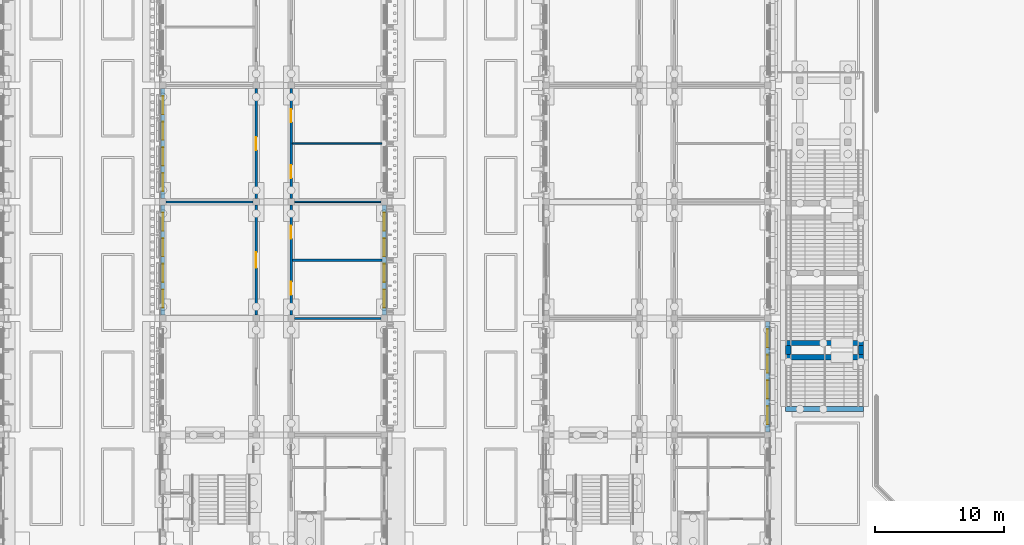
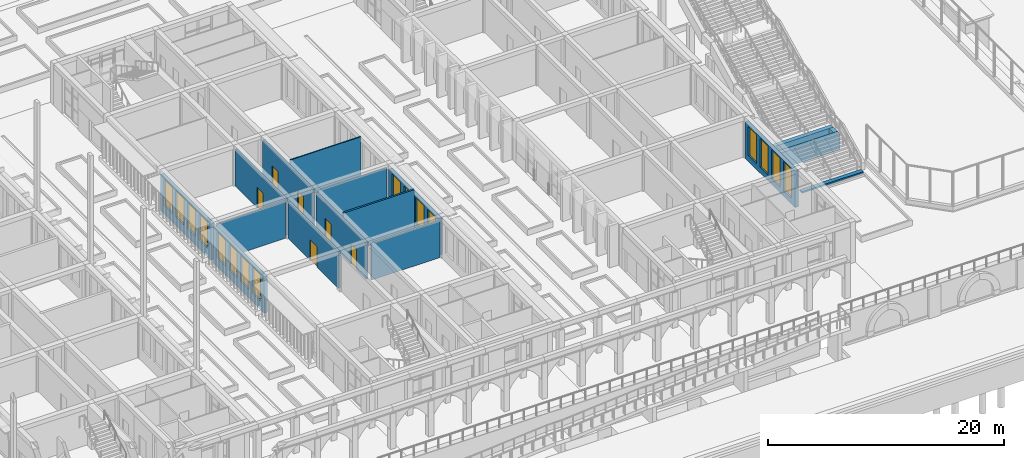
# One storey, part 70 of 161: 18 walls, 16 windows, 6 doors, 22 openings.
"""IFC4 building model written with IfcOpenShell, lengths in metres."""

import ifcopenshell
import ifcopenshell.guid

model = None  # the IFC model being written
_history = None  # IfcOwnerHistory: only IFC2X3 demands one
_inside = {}  # id of a spatial element -> (the spatial element, [elements in it])
_under = {}  # id of a project, library or spatial element -> (it, [spatial elements below it])
_declared = {}  # id of a project -> (the project, [libraries it declares])
_typed = {}  # id of a type object -> (the type object, [elements of that type])
_made_of = {}  # id of a material, layer set ... -> (it, [elements and type objects made of it])


def new_model(schema):
    """Start an empty IFC model of exactly this schema.

    Asked for "IFC4X3", IfcOpenShell would pick the latest addendum, in which some entities
    have other attributes; the version numbers below select the first issue.
    IFC2X3 requires an IfcOwnerHistory on every rooted entity: one is made here for all.
    """
    global model, _history
    if schema == "IFC4X3":
        model = ifcopenshell.file(schema_version=(4, 3, 0, 0))
    else:
        model = ifcopenshell.file(schema=schema)
    _inside.clear()
    _under.clear()
    _declared.clear()
    _typed.clear()
    _made_of.clear()
    _history = None
    if model.schema == "IFC2X3":
        org = make("IfcOrganization", Name="unknown")
        user = make(
            "IfcPersonAndOrganization",
            ThePerson=make("IfcPerson", FamilyName="unknown"),
            TheOrganization=org,
        )
        app = make(
            "IfcApplication",
            ApplicationDeveloper=org,
            Version="unknown",
            ApplicationFullName="unknown",
            ApplicationIdentifier="unknown",
        )
        _history = make(
            "IfcOwnerHistory",
            OwningUser=user,
            OwningApplication=app,
            ChangeAction="ADDED",
            CreationDate=0,
        )
    return model


def make(cls, **values):
    """One entity of the class cls with the attributes given. An attribute that is None is left unset."""
    return model.create_entity(
        cls, **{name: value for name, value in values.items() if value is not None}
    )


def rooted(cls, **values):
    """An entity with a GlobalId (a new one), such as an element, a storey or a relation."""
    return make(cls, GlobalId=ifcopenshell.guid.new(), OwnerHistory=_history, **values)


def si_unit(unit_type, name, prefix=None):
    """IfcSIUnit, for example si_unit("LENGTHUNIT", "METRE", prefix="MILLI")."""
    return make("IfcSIUnit", UnitType=unit_type, Prefix=prefix, Name=name)


def assignment(units):
    """IfcUnitAssignment: the units of a project."""
    return None if units is None else make("IfcUnitAssignment", Units=units)


def point(xyz):
    """IfcCartesianPoint."""
    return None if xyz is None else make("IfcCartesianPoint", Coordinates=xyz)


def direction(xyz):
    """IfcDirection."""
    return None if xyz is None else make("IfcDirection", DirectionRatios=xyz)


def frame(location, z_axis=None, x_axis=None):
    """IfcAxis2Placement3D, a coordinate frame: its origin and axes. An axis left out is left unset."""
    return make(
        "IfcAxis2Placement3D",
        Location=point(location),
        Axis=direction(z_axis),
        RefDirection=direction(x_axis),
    )


def frame_2d(location, x_axis=None):
    """IfcAxis2Placement2D, a coordinate frame in the plane: its origin and x axis."""
    return make(
        "IfcAxis2Placement2D", Location=point(location), RefDirection=direction(x_axis)
    )


def origin():
    """The frame at (0, 0, 0) with its axes left unset."""
    return frame((0.0, 0.0, 0.0))


def place(relative_to, where):
    """IfcLocalPlacement: puts the frame where relative to a parent placement (None: the world)."""
    return make(
        "IfcLocalPlacement", PlacementRelTo=relative_to, RelativePlacement=where
    )


def context(
    kind, dimensions, precision=None, world=None, true_north=None, identifier=None
):
    """IfcGeometricRepresentationContext, for example the 3D "Model" context."""
    return make(
        "IfcGeometricRepresentationContext",
        ContextIdentifier=identifier,
        ContextType=kind,
        CoordinateSpaceDimension=dimensions,
        Precision=precision,
        WorldCoordinateSystem=world,
        TrueNorth=true_north,
    )


def subcontext(parent, identifier, kind, view, scale=None):
    """IfcGeometricRepresentationSubContext, for example "Body" below "Model"."""
    return make(
        "IfcGeometricRepresentationSubContext",
        ContextIdentifier=identifier,
        ContextType=kind,
        ParentContext=parent,
        TargetScale=scale,
        TargetView=view,
    )


def project(units=None, contexts=None):
    """IfcProject with its units and contexts."""
    return rooted(
        "IfcProject",
        Name="project",
        RepresentationContexts=contexts,
        UnitsInContext=assignment(units),
    )


def spatial(cls, under=None, at=None, **own):
    """A site, building, storey or space (cls), placed at a placement, below another one or the project."""
    s = rooted(cls, ObjectPlacement=at, **own)
    if under is not None:
        _under.setdefault(under.id(), (under, []))[1].append(s)
    return s


def profile(cls, at=None, kind="AREA", **sizes):
    """A parametric profile (cls). Its sizes go by their IFC names, for example OverallWidth=200.0."""
    return make(cls, ProfileType=kind, Position=at, **sizes)


def rectangle(**sizes):
    """IfcRectangleProfileDef."""
    return profile("IfcRectangleProfileDef", **sizes)


def extrude(swept, where, along, depth):
    """IfcExtrudedAreaSolid: the profile swept, set in the frame where, extruded along a direction by depth."""
    return make(
        "IfcExtrudedAreaSolid",
        SweptArea=swept,
        Position=where,
        ExtrudedDirection=direction(along),
        Depth=depth,
    )


def shape(context_of_items, identifier, shape_type, items):
    """IfcShapeRepresentation: the items that make up one representation, for example the "Body"."""
    return make(
        "IfcShapeRepresentation",
        ContextOfItems=context_of_items,
        RepresentationIdentifier=identifier,
        RepresentationType=shape_type,
        Items=items,
    )


def material(Name=None, Category=None):
    """IfcMaterial."""
    return make("IfcMaterial", Name=Name, Category=Category)


def layer(
    of_material, thickness, ventilated=None, Name=None, Category=None, Priority=None
):
    """IfcMaterialLayer: one layer of a wall or slab, of a material (None: an air gap)."""
    return make(
        "IfcMaterialLayer",
        Material=of_material,
        LayerThickness=thickness,
        IsVentilated=ventilated,
        Name=Name,
        Category=Category,
        Priority=Priority,
    )


def layer_set(layers, Name=None):
    """IfcMaterialLayerSet."""
    return make("IfcMaterialLayerSet", MaterialLayers=layers, LayerSetName=Name)


def made_of(thing, what):
    """Note that an element or type object is made of a material, layer set ...; save() writes the relation."""
    if what is not None:
        _made_of.setdefault(what.id(), (what, []))[1].append(thing)
    return thing


def type_object(cls, material=None, **own):
    """A type object (cls), such as IfcWallType, which elements share."""
    return made_of(rooted(cls, **own), material)


def element(
    cls,
    number,
    at=None,
    inside=None,
    cuts=None,
    type_object=None,
    material=None,
    context=None,
    identifier="Body",
    shape_type=None,
    held_by="IfcProductDefinitionShape",
    body=None,
    shapes=None,
    **own,
):
    """One element of the class cls, such as IfcWall. Its Tag is "e" and its number.

    at: its placement. inside: the storey or other place that contains it. cuts: it is an
    opening in that element (IfcRelVoidsElement). A single representation is given by context,
    identifier, shape_type and body (its items); several are given by shapes. held_by: the class
    of the entity that holds the representations. save() writes the other relations.
    """
    e = rooted(cls, Tag="e%d" % number, ObjectPlacement=at, **own)
    if body is not None:
        shapes = [shape(context, identifier, shape_type, body)]
    if shapes is not None:
        e.Representation = make(held_by, Representations=shapes)
    if inside is not None:
        _inside.setdefault(inside.id(), (inside, []))[1].append(e)
    if cuts is not None:
        rooted(
            "IfcRelVoidsElement", RelatingBuildingElement=cuts, RelatedOpeningElement=e
        )
    if type_object is not None:
        _typed.setdefault(type_object.id(), (type_object, []))[1].append(e)
    return made_of(e, material)


def fill(opening, filler):
    """IfcRelFillsElement: the door or window that sits in an opening."""
    return rooted(
        "IfcRelFillsElement",
        RelatingOpeningElement=opening,
        RelatedBuildingElement=filler,
    )


def aggregate(whole, parts):
    """IfcRelAggregates: a whole, such as a stair, and the parts it consists of."""
    return rooted("IfcRelAggregates", RelatingObject=whole, RelatedObjects=parts)


def save(model, path):
    """Write the relations noted so far, then the file.

    IfcRelAggregates (storeys below a building ...), IfcRelContainedInSpatialStructure (elements
    in a storey), IfcRelDefinesByType, IfcRelAssociatesMaterial and IfcRelDeclares: one each for
    every whole, place, type object, material and project.
    """
    for whole, parts in _under.values():
        aggregate(whole, parts)
    for where, things in _inside.values():
        rooted(
            "IfcRelContainedInSpatialStructure",
            RelatedElements=things,
            RelatingStructure=where,
        )
    for kind, things in _typed.values():
        rooted("IfcRelDefinesByType", RelatedObjects=things, RelatingType=kind)
    for what, things in _made_of.values():
        rooted("IfcRelAssociatesMaterial", RelatedObjects=things, RelatingMaterial=what)
    for by, libraries in _declared.values():
        rooted("IfcRelDeclares", RelatingContext=by, RelatedDefinitions=libraries)
    model.write(path)


model = new_model("IFC4")

# Units and contexts
model_context = context("Model", 3, precision=1e-05, world=origin(), true_north=direction((0.0, 1.0)))
body_context = subcontext(model_context, "Body", "Model", "MODEL_VIEW")
ifc_project = project(units=[si_unit("LENGTHUNIT", "METRE"), si_unit("AREAUNIT", "SQUARE_METRE"), si_unit("VOLUMEUNIT", "CUBIC_METRE"), si_unit("PLANEANGLEUNIT", "RADIAN"), si_unit("MASSUNIT", "GRAM", prefix="KILO")], contexts=[model_context])

# Site, building, storey
site_placement = place(None, origin())
site = spatial("IfcSite", under=ifc_project, at=site_placement, CompositionType="ELEMENT")
building_placement = place(site_placement, origin())
building = spatial("IfcBuilding", under=site, at=building_placement, Name="Elbe Cascade School", CompositionType="ELEMENT")
storey_placement = place(building_placement, origin())
storey = spatial("IfcBuildingStorey", under=building, at=storey_placement, Name="L00", CompositionType="ELEMENT", Elevation=0.0)

# Walls
ifc_material_1 = material(Name="Masonry - lime-sand block, plastered", Category="masonry")
ifc_layer_1 = layer(ifc_material_1, 0.175048828125)
ifc_layer_set_1 = layer_set([ifc_layer_1], Name="Masonry - lime-sand block, plastered")
wall_type_1 = type_object("IfcWallType", Name="Bar classroom partition wall lime-sand block 175", PredefinedType="PARTITIONING", material=ifc_layer_set_1)
for number, where, z_axis, x_axis, name in (
    (1, (128.449951171875, 33.0, 0.0), (0.0, 0.0, 1.0), (1.0, 0.0, 0.0), "Bar classroom partition wall lime-sand block 175"),
    (2, (138.35009765625, 24.0, 0.0), (0.0, 0.0, 1.0), (1.0, 0.0, 0.0), "Bar classroom partition wall lime-sand block 175"),
):
    element("IfcWall", number, at=place(storey_placement, frame(where, z_axis=z_axis, x_axis=x_axis)), inside=storey, type_object=wall_type_1, Name=name, PredefinedType="PARTITIONING", context=body_context, shape_type="SweptSolid", body=[
        extrude(rectangle(XDim=6.699951171875, YDim=0.175048828125, at=frame_2d((3.35009765625, 0.0))), origin(), (0.0, 0.0, 1.0), 3.800048828125),
    ])
wall_1_placement = place(storey_placement, frame((138.199951171875, 28.5, 0.0), z_axis=(0.0, 0.0, 1.0), x_axis=(1.0, 0.0, 0.0)))
element("IfcWall", 3, at=wall_1_placement, inside=storey, type_object=wall_type_1, Name="Bar classroom partition wall lime-sand block 175", PredefinedType="PARTITIONING", context=body_context, shape_type="SweptSolid", body=[
    extrude(rectangle(XDim=6.920166015625, YDim=0.175048828125, at=frame_2d((3.4599609375, 0.0))), origin(), (0.0, 0.0, 1.0), 4.25),
])

# Wall, opening, door
ifc_material_2 = material(Name="Masonry - lime-sand block, plastered", Category="masonry")
ifc_layer_2 = layer(ifc_material_2, 0.199951171875)
ifc_layer_set_2 = layer_set([ifc_layer_2], Name="Masonry - lime-sand block, plastered")
wall_type_2 = type_object("IfcWallType", Name="Bar corridor wall lime-sand block 200 EI 30", PredefinedType="PARTITIONING", material=ifc_layer_set_2)
wall_2_placement = place(storey_placement, frame((135.39990234375, 24.25, 0.0), z_axis=(0.0, 0.0, 1.0), x_axis=(0.0, 1.0, 0.0)))
wall_2 = element("IfcWall", 4, at=wall_2_placement, inside=storey, type_object=wall_type_2, Name="Bar corridor wall lime-sand block 200 EI 30", PredefinedType="PARTITIONING", context=body_context, shape_type="SweptSolid", body=[
    extrude(rectangle(XDim=8.5, YDim=0.199951171875, at=frame_2d((4.25, 0.0))), origin(), (0.0, 0.0, 1.0), 3.800048828125),
])
opening_1_placement = place(wall_2_placement, frame((3.64990234375, 0.0, 0.0)))
opening_1 = element("IfcOpeningElement", 5, at=opening_1_placement, cuts=wall_2, Name="Opening D0.080", PredefinedType="OPENING", context=body_context, shape_type="SweptSolid", body=[
    extrude(rectangle(XDim=1.199951171875, YDim=2.10009765625, at=frame_2d((0.60009765625, 1.050048828125))), frame((0.0, 0.10986328125, 0.0), z_axis=(0.0, -1.0, 0.0), x_axis=(1.0, 0.0, 0.0)), (0.0, 0.0, 1.0), 0.219970703125),
])
ifc_material_3 = material(Name="Timber door leaf, fire-resisting, steel frame", Category="steel")
door_type_1 = type_object("IfcDoorType", Name="Bar door FD30 1200x2100", OperationType="NOTDEFINED", PredefinedType="DOOR", material=ifc_material_3)
door_1_placement = place(opening_1_placement, origin())
door_1 = element("IfcDoor", 6, at=door_1_placement, inside=storey, type_object=door_type_1, Name="Door C0.19b", OperationType="SINGLE_SWING_LEFT", OverallHeight=2.10009765625, OverallWidth=1.199951171875, PredefinedType="DOOR", context=body_context, shape_type="SweptSolid", body=[
    extrude(rectangle(XDim=1.199951171875, YDim=2.10009765625, at=frame_2d((0.60009765625, 1.050048828125))), frame((0.0, 0.02490234375, 0.0), z_axis=(0.0, -1.0, 0.0), x_axis=(1.0, 0.0, 0.0)), (0.0, 0.0, 1.0), 0.050048828125),
])
fill(opening_1, door_1)

wall_3_placement = place(storey_placement, frame((135.39990234375, 33.25, 0.0), z_axis=(0.0, 0.0, 1.0), x_axis=(0.0, 1.0, 0.0)))
wall_3 = element("IfcWall", 7, at=wall_3_placement, inside=storey, type_object=wall_type_2, Name="Bar corridor wall lime-sand block 200 EI 30", PredefinedType="PARTITIONING", context=body_context, shape_type="SweptSolid", body=[
    extrude(rectangle(XDim=8.5, YDim=0.199951171875, at=frame_2d((4.25, 0.0))), origin(), (0.0, 0.0, 1.0), 3.800048828125),
])
opening_2_placement = place(wall_3_placement, frame((3.75, 0.0, 0.0)))
opening_2 = element("IfcOpeningElement", 8, at=opening_2_placement, cuts=wall_3, Name="Opening D0.083", PredefinedType="OPENING", context=body_context, shape_type="SweptSolid", body=[
    extrude(rectangle(XDim=1.0, YDim=2.10009765625, at=frame_2d((0.5, 1.050048828125))), frame((0.0, 0.10986328125, 0.0), z_axis=(0.0, -1.0, 0.0), x_axis=(1.0, 0.0, 0.0)), (0.0, 0.0, 1.0), 0.219970703125),
])
ifc_material_4 = material(Name="Timber door leaf, fire-resisting, steel frame", Category="steel")
door_type_2 = type_object("IfcDoorType", Name="Bar door FD30 1000x2100", OperationType="NOTDEFINED", PredefinedType="DOOR", material=ifc_material_4)
door_2_placement = place(opening_2_placement, origin())
door_2 = element("IfcDoor", 9, at=door_2_placement, inside=storey, type_object=door_type_2, Name="Door C0.20", OperationType="SINGLE_SWING_LEFT", OverallHeight=2.10009765625, OverallWidth=1.0, PredefinedType="DOOR", context=body_context, shape_type="SweptSolid", body=[
    extrude(rectangle(XDim=1.0, YDim=2.10009765625, at=frame_2d((0.5, 1.050048828125))), frame((0.0, 0.02490234375, 0.0), z_axis=(0.0, -1.0, 0.0), x_axis=(1.0, 0.0, 0.0)), (0.0, 0.0, 1.0), 0.050048828125),
])
fill(opening_2, door_2)

# Wall, openings, doors
wall_4_placement = place(storey_placement, frame((138.10009765625, 32.75, 0.0), z_axis=(0.0, 0.0, 1.0), x_axis=(0.0, -1.0, 0.0)))
wall_4 = element("IfcWall", 10, at=wall_4_placement, inside=storey, type_object=wall_type_2, Name="Bar corridor wall lime-sand block 200 EI 30", PredefinedType="PARTITIONING", context=body_context, shape_type="SweptSolid", body=[
    extrude(rectangle(XDim=8.5, YDim=0.199951171875, at=frame_2d((4.25, 0.0))), origin(), (0.0, 0.0, 1.0), 3.800048828125),
])
opening_3_placement = place(wall_4_placement, frame((5.918701171875, 0.0, 0.0)))
opening_3 = element("IfcOpeningElement", 11, at=opening_3_placement, cuts=wall_4, Name="Opening D0.079", PredefinedType="OPENING", context=body_context, shape_type="SweptSolid", body=[
    extrude(rectangle(XDim=1.0, YDim=2.10009765625, at=frame_2d((0.5, 1.050048828125))), frame((0.0, 0.10986328125, 0.0), z_axis=(0.0, -1.0, 0.0), x_axis=(1.0, 0.0, 0.0)), (0.0, 0.0, 1.0), 0.219970703125),
])
opening_4_placement = place(wall_4_placement, frame((1.581298828125, 0.0, 0.0)))
opening_4 = element("IfcOpeningElement", 12, at=opening_4_placement, cuts=wall_4, Name="Opening D0.081", PredefinedType="OPENING", context=body_context, shape_type="SweptSolid", body=[
    extrude(rectangle(XDim=1.0, YDim=2.10009765625, at=frame_2d((0.5, 1.050048828125))), frame((0.0, 0.10986328125, 0.0), z_axis=(0.0, -1.0, 0.0), x_axis=(1.0, 0.0, 0.0)), (0.0, 0.0, 1.0), 0.219970703125),
])
door_3_placement = place(opening_3_placement, origin())
door_3 = element("IfcDoor", 13, at=door_3_placement, inside=storey, type_object=door_type_2, Name="Door C0.24", OperationType="SINGLE_SWING_LEFT", OverallHeight=2.10009765625, OverallWidth=1.0, PredefinedType="DOOR", context=body_context, shape_type="SweptSolid", body=[
    extrude(rectangle(XDim=1.0, YDim=2.10009765625, at=frame_2d((0.5, 1.050048828125))), frame((0.0, 0.02490234375, 0.0), z_axis=(0.0, -1.0, 0.0), x_axis=(1.0, 0.0, 0.0)), (0.0, 0.0, 1.0), 0.050048828125),
])
fill(opening_3, door_3)
door_4_placement = place(opening_4_placement, origin())
door_4 = element("IfcDoor", 14, at=door_4_placement, inside=storey, type_object=door_type_2, Name="Door C0.25", OperationType="SINGLE_SWING_RIGHT", OverallHeight=2.10009765625, OverallWidth=1.0, PredefinedType="DOOR", context=body_context, shape_type="SweptSolid", body=[
    extrude(rectangle(XDim=1.0, YDim=2.10009765625, at=frame_2d((0.5, 1.050048828125))), frame((0.0, 0.02490234375, 0.0), z_axis=(0.0, -1.0, 0.0), x_axis=(1.0, 0.0, 0.0)), (0.0, 0.0, 1.0), 0.050048828125),
])
fill(opening_4, door_4)

wall_5_placement = place(storey_placement, frame((138.10009765625, 41.75, 0.0), z_axis=(0.0, 0.0, 1.0), x_axis=(0.0, -1.0, 0.0)))
wall_5 = element("IfcWall", 15, at=wall_5_placement, inside=storey, type_object=wall_type_2, Name="Bar corridor wall lime-sand block 200 EI 30", PredefinedType="PARTITIONING", context=body_context, shape_type="SweptSolid", body=[
    extrude(rectangle(XDim=8.5, YDim=0.199951171875, at=frame_2d((4.25, 0.0))), origin(), (0.0, 0.0, 1.0), 3.800048828125),
])
opening_5_placement = place(wall_5_placement, frame((5.90380859375, 0.0, 0.0)))
opening_5 = element("IfcOpeningElement", 16, at=opening_5_placement, cuts=wall_5, Name="Opening D0.082", PredefinedType="OPENING", context=body_context, shape_type="SweptSolid", body=[
    extrude(rectangle(XDim=1.0, YDim=2.10009765625, at=frame_2d((0.5, 1.050048828125))), frame((0.0, 0.10986328125, 0.0), z_axis=(0.0, -1.0, 0.0), x_axis=(1.0, 0.0, 0.0)), (0.0, 0.0, 1.0), 0.219970703125),
])
opening_6_placement = place(wall_5_placement, frame((1.59619140625, 0.0, 0.0)))
opening_6 = element("IfcOpeningElement", 17, at=opening_6_placement, cuts=wall_5, Name="Opening D0.084", PredefinedType="OPENING", context=body_context, shape_type="SweptSolid", body=[
    extrude(rectangle(XDim=1.0, YDim=2.10009765625, at=frame_2d((0.5, 1.050048828125))), frame((0.0, 0.10986328125, 0.0), z_axis=(0.0, -1.0, 0.0), x_axis=(1.0, 0.0, 0.0)), (0.0, 0.0, 1.0), 0.219970703125),
])
door_5_placement = place(opening_5_placement, origin())
door_5 = element("IfcDoor", 18, at=door_5_placement, inside=storey, type_object=door_type_2, Name="Door C0.26", OperationType="SINGLE_SWING_LEFT", OverallHeight=2.10009765625, OverallWidth=1.0, PredefinedType="DOOR", context=body_context, shape_type="SweptSolid", body=[
    extrude(rectangle(XDim=1.0, YDim=2.10009765625, at=frame_2d((0.5, 1.050048828125))), frame((0.0, 0.02490234375, 0.0), z_axis=(0.0, -1.0, 0.0), x_axis=(1.0, 0.0, 0.0)), (0.0, 0.0, 1.0), 0.050048828125),
])
fill(opening_5, door_5)
door_6_placement = place(opening_6_placement, origin())
door_6 = element("IfcDoor", 19, at=door_6_placement, inside=storey, type_object=door_type_2, Name="Door C0.27", OperationType="SINGLE_SWING_RIGHT", OverallHeight=2.10009765625, OverallWidth=1.0, PredefinedType="DOOR", context=body_context, shape_type="SweptSolid", body=[
    extrude(rectangle(XDim=1.0, YDim=2.10009765625, at=frame_2d((0.5, 1.050048828125))), frame((0.0, 0.02490234375, 0.0), z_axis=(0.0, -1.0, 0.0), x_axis=(1.0, 0.0, 0.0)), (0.0, 0.0, 1.0), 0.050048828125),
])
fill(opening_6, door_6)

# Walls
ifc_material_5 = material(Name="Masonry - lime-sand block, plastered", Category="masonry")
ifc_layer_3 = layer(ifc_material_5, 0.114990234375)
ifc_layer_set_3 = layer_set([ifc_layer_3], Name="Masonry - lime-sand block, plastered")
wall_type_3 = type_object("IfcWallType", Name="Bar light partition wall lime-sand block 115", PredefinedType="PARTITIONING", material=ifc_layer_set_3)
wall_6_placement = place(storey_placement, frame((138.35009765625, 33.0, 0.0), z_axis=(0.0, 0.0, 1.0), x_axis=(1.0, 0.0, 0.0)))
element("IfcWall", 20, at=wall_6_placement, inside=storey, type_object=wall_type_3, Name="Bar light partition wall lime-sand block 115", PredefinedType="PARTITIONING", context=body_context, shape_type="SweptSolid", body=[
    extrude(rectangle(XDim=6.699951171875, YDim=0.114990234375, at=frame_2d((3.35009765625, 0.0))), origin(), (0.0, 0.0, 1.0), 3.800048828125),
])
wall_7_placement = place(storey_placement, frame((138.199951171875, 37.5, 0.0), z_axis=(0.0, 0.0, 1.0), x_axis=(1.0, 0.0, 0.0)))
element("IfcWall", 21, at=wall_7_placement, inside=storey, type_object=wall_type_3, Name="Bar light partition wall lime-sand block 115", PredefinedType="PARTITIONING", context=body_context, shape_type="SweptSolid", body=[
    extrude(rectangle(XDim=6.920166015625, YDim=0.114990234375, at=frame_2d((3.4599609375, 0.0))), origin(), (0.0, 0.0, 1.0), 4.25),
])

# Wall, openings, windows
ifc_material_6 = material(Name="Brick masonry - red clinker, cavity wall with render backing", Category="masonry")
ifc_layer_4 = layer(ifc_material_6, 0.360107421875)
ifc_layer_set_4 = layer_set([ifc_layer_4], Name="Brick masonry - red clinker, cavity wall with render backing")
wall_type_4 = type_object("IfcWallType", Name="Bars envelope External wall - clinker brick cavity, 360 ground floor", PredefinedType="STANDARD", material=ifc_layer_set_4)
wall_8_placement = place(storey_placement, frame((128.199951171875, 24.25, 0.0), z_axis=(0.0, 0.0, 1.0), x_axis=(0.0, 1.0, 0.0)))
wall_8 = element("IfcWall", 22, at=wall_8_placement, inside=storey, type_object=wall_type_4, Name="External wall W29 C.L00.w3", PredefinedType="STANDARD", context=body_context, shape_type="SweptSolid", body=[
    extrude(rectangle(XDim=8.5, YDim=0.360107421875, at=frame_2d((4.25, 0.0))), origin(), (0.0, 0.0, 1.0), 3.75),
])
opening_7_placement = place(wall_8_placement, frame((0.580078125, 0.0, 0.89990234375)))
opening_7 = element("IfcOpeningElement", 23, at=opening_7_placement, cuts=wall_8, Name="Opening W0.063", PredefinedType="OPENING", context=body_context, shape_type="SweptSolid", body=[
    extrude(rectangle(XDim=1.39990234375, YDim=2.699951171875, at=frame_2d((0.699951171875, 1.35009765625))), frame((0.0, 0.18994140625, 0.0), z_axis=(0.0, -1.0, 0.0), x_axis=(1.0, 0.0, 0.0)), (0.0, 0.0, 1.0), 0.380126953125),
])
opening_8_placement = place(wall_8_placement, frame((2.56005859375, 0.0, 0.89990234375)))
opening_8 = element("IfcOpeningElement", 24, at=opening_8_placement, cuts=wall_8, Name="Opening W0.065", PredefinedType="OPENING", context=body_context, shape_type="SweptSolid", body=[
    extrude(rectangle(XDim=1.39990234375, YDim=2.699951171875, at=frame_2d((0.699951171875, 1.35009765625))), frame((0.0, 0.18994140625, 0.0), z_axis=(0.0, -1.0, 0.0), x_axis=(1.0, 0.0, 0.0)), (0.0, 0.0, 1.0), 0.380126953125),
])
opening_9_placement = place(wall_8_placement, frame((4.5400390625, 0.0, 0.89990234375)))
opening_9 = element("IfcOpeningElement", 25, at=opening_9_placement, cuts=wall_8, Name="Opening W0.067", PredefinedType="OPENING", context=body_context, shape_type="SweptSolid", body=[
    extrude(rectangle(XDim=1.39990234375, YDim=2.699951171875, at=frame_2d((0.699951171875, 1.35009765625))), frame((0.0, 0.18994140625, 0.0), z_axis=(0.0, -1.0, 0.0), x_axis=(1.0, 0.0, 0.0)), (0.0, 0.0, 1.0), 0.380126953125),
])
opening_10_placement = place(wall_8_placement, frame((6.52001953125, 0.0, 0.89990234375)))
opening_10 = element("IfcOpeningElement", 26, at=opening_10_placement, cuts=wall_8, Name="Opening W0.069", PredefinedType="OPENING", context=body_context, shape_type="SweptSolid", body=[
    extrude(rectangle(XDim=1.39990234375, YDim=2.699951171875, at=frame_2d((0.699951171875, 1.35009765625))), frame((0.0, 0.18994140625, 0.0), z_axis=(0.0, -1.0, 0.0), x_axis=(1.0, 0.0, 0.0)), (0.0, 0.0, 1.0), 0.380126953125),
])
ifc_material_7 = material(Name="Aluminium frame with double glazing, bronze anodised", Category="aluminium")
window_type_1 = type_object("IfcWindowType", Name="Bars envelope Window 1400 x 2700, laboratory and office, bench height sill, aluminium double glazed", PartitioningType="DOUBLE_PANEL_VERTICAL", PredefinedType="WINDOW", material=ifc_material_7)
window_1_placement = place(opening_7_placement, origin())
window_1 = element("IfcWindow", 27, at=window_1_placement, inside=storey, type_object=window_type_1, Name="Window WN14 C.L00.w3.1", OverallHeight=2.699951171875, OverallWidth=1.39990234375, PartitioningType="DOUBLE_PANEL_VERTICAL", PredefinedType="WINDOW", context=body_context, shape_type="SweptSolid", body=[
    extrude(rectangle(XDim=1.39990234375, YDim=2.699951171875, at=frame_2d((0.699951171875, 1.35009765625))), frame((0.0, 0.030029296875, 0.0), z_axis=(0.0, -1.0, 0.0), x_axis=(1.0, 0.0, 0.0)), (0.0, 0.0, 1.0), 0.06005859375),
])
fill(opening_7, window_1)
window_2_placement = place(opening_8_placement, origin())
window_2 = element("IfcWindow", 28, at=window_2_placement, inside=storey, type_object=window_type_1, Name="Window WN14 C.L00.w3.2", OverallHeight=2.699951171875, OverallWidth=1.39990234375, PartitioningType="DOUBLE_PANEL_VERTICAL", PredefinedType="WINDOW", context=body_context, shape_type="SweptSolid", body=[
    extrude(rectangle(XDim=1.39990234375, YDim=2.699951171875, at=frame_2d((0.699951171875, 1.35009765625))), frame((0.0, 0.030029296875, 0.0), z_axis=(0.0, -1.0, 0.0), x_axis=(1.0, 0.0, 0.0)), (0.0, 0.0, 1.0), 0.06005859375),
])
fill(opening_8, window_2)
window_3_placement = place(opening_9_placement, origin())
window_3 = element("IfcWindow", 29, at=window_3_placement, inside=storey, type_object=window_type_1, Name="Window WN14 C.L00.w3.3", OverallHeight=2.699951171875, OverallWidth=1.39990234375, PartitioningType="DOUBLE_PANEL_VERTICAL", PredefinedType="WINDOW", context=body_context, shape_type="SweptSolid", body=[
    extrude(rectangle(XDim=1.39990234375, YDim=2.699951171875, at=frame_2d((0.699951171875, 1.35009765625))), frame((0.0, 0.030029296875, 0.0), z_axis=(0.0, -1.0, 0.0), x_axis=(1.0, 0.0, 0.0)), (0.0, 0.0, 1.0), 0.06005859375),
])
fill(opening_9, window_3)
window_4_placement = place(opening_10_placement, origin())
window_4 = element("IfcWindow", 30, at=window_4_placement, inside=storey, type_object=window_type_1, Name="Window WN14 C.L00.w3.4", OverallHeight=2.699951171875, OverallWidth=1.39990234375, PartitioningType="DOUBLE_PANEL_VERTICAL", PredefinedType="WINDOW", context=body_context, shape_type="SweptSolid", body=[
    extrude(rectangle(XDim=1.39990234375, YDim=2.699951171875, at=frame_2d((0.699951171875, 1.35009765625))), frame((0.0, 0.030029296875, 0.0), z_axis=(0.0, -1.0, 0.0), x_axis=(1.0, 0.0, 0.0)), (0.0, 0.0, 1.0), 0.06005859375),
])
fill(opening_10, window_4)

wall_9_placement = place(storey_placement, frame((128.199951171875, 33.25, 0.0), z_axis=(0.0, 0.0, 1.0), x_axis=(0.0, 1.0, 0.0)))
wall_9 = element("IfcWall", 31, at=wall_9_placement, inside=storey, type_object=wall_type_4, Name="External wall W29 C.L00.w4", PredefinedType="STANDARD", context=body_context, shape_type="SweptSolid", body=[
    extrude(rectangle(XDim=8.5, YDim=0.360107421875, at=frame_2d((4.25, 0.0))), origin(), (0.0, 0.0, 1.0), 3.75),
])
opening_11_placement = place(wall_9_placement, frame((0.580078125, 0.0, 0.89990234375)))
opening_11 = element("IfcOpeningElement", 32, at=opening_11_placement, cuts=wall_9, Name="Opening W0.071", PredefinedType="OPENING", context=body_context, shape_type="SweptSolid", body=[
    extrude(rectangle(XDim=1.39990234375, YDim=2.699951171875, at=frame_2d((0.699951171875, 1.35009765625))), frame((0.0, 0.18994140625, 0.0), z_axis=(0.0, -1.0, 0.0), x_axis=(1.0, 0.0, 0.0)), (0.0, 0.0, 1.0), 0.380126953125),
])
opening_12_placement = place(wall_9_placement, frame((2.56005859375, 0.0, 0.89990234375)))
opening_12 = element("IfcOpeningElement", 33, at=opening_12_placement, cuts=wall_9, Name="Opening W0.073", PredefinedType="OPENING", context=body_context, shape_type="SweptSolid", body=[
    extrude(rectangle(XDim=1.39990234375, YDim=2.699951171875, at=frame_2d((0.699951171875, 1.35009765625))), frame((0.0, 0.18994140625, 0.0), z_axis=(0.0, -1.0, 0.0), x_axis=(1.0, 0.0, 0.0)), (0.0, 0.0, 1.0), 0.380126953125),
])
opening_13_placement = place(wall_9_placement, frame((4.5400390625, 0.0, 0.89990234375)))
opening_13 = element("IfcOpeningElement", 34, at=opening_13_placement, cuts=wall_9, Name="Opening W0.075", PredefinedType="OPENING", context=body_context, shape_type="SweptSolid", body=[
    extrude(rectangle(XDim=1.39990234375, YDim=2.699951171875, at=frame_2d((0.699951171875, 1.35009765625))), frame((0.0, 0.18994140625, 0.0), z_axis=(0.0, -1.0, 0.0), x_axis=(1.0, 0.0, 0.0)), (0.0, 0.0, 1.0), 0.380126953125),
])
opening_14_placement = place(wall_9_placement, frame((6.52001953125, 0.0, 0.89990234375)))
opening_14 = element("IfcOpeningElement", 35, at=opening_14_placement, cuts=wall_9, Name="Opening W0.077", PredefinedType="OPENING", context=body_context, shape_type="SweptSolid", body=[
    extrude(rectangle(XDim=1.39990234375, YDim=2.699951171875, at=frame_2d((0.699951171875, 1.35009765625))), frame((0.0, 0.18994140625, 0.0), z_axis=(0.0, -1.0, 0.0), x_axis=(1.0, 0.0, 0.0)), (0.0, 0.0, 1.0), 0.380126953125),
])
window_5_placement = place(opening_11_placement, origin())
window_5 = element("IfcWindow", 36, at=window_5_placement, inside=storey, type_object=window_type_1, Name="Window WN14 C.L00.w4.1", OverallHeight=2.699951171875, OverallWidth=1.39990234375, PartitioningType="DOUBLE_PANEL_VERTICAL", PredefinedType="WINDOW", context=body_context, shape_type="SweptSolid", body=[
    extrude(rectangle(XDim=1.39990234375, YDim=2.699951171875, at=frame_2d((0.699951171875, 1.35009765625))), frame((0.0, 0.030029296875, 0.0), z_axis=(0.0, -1.0, 0.0), x_axis=(1.0, 0.0, 0.0)), (0.0, 0.0, 1.0), 0.06005859375),
])
fill(opening_11, window_5)
window_6_placement = place(opening_12_placement, origin())
window_6 = element("IfcWindow", 37, at=window_6_placement, inside=storey, type_object=window_type_1, Name="Window WN14 C.L00.w4.2", OverallHeight=2.699951171875, OverallWidth=1.39990234375, PartitioningType="DOUBLE_PANEL_VERTICAL", PredefinedType="WINDOW", context=body_context, shape_type="SweptSolid", body=[
    extrude(rectangle(XDim=1.39990234375, YDim=2.699951171875, at=frame_2d((0.699951171875, 1.35009765625))), frame((0.0, 0.030029296875, 0.0), z_axis=(0.0, -1.0, 0.0), x_axis=(1.0, 0.0, 0.0)), (0.0, 0.0, 1.0), 0.06005859375),
])
fill(opening_12, window_6)
window_7_placement = place(opening_13_placement, origin())
window_7 = element("IfcWindow", 38, at=window_7_placement, inside=storey, type_object=window_type_1, Name="Window WN14 C.L00.w4.3", OverallHeight=2.699951171875, OverallWidth=1.39990234375, PartitioningType="DOUBLE_PANEL_VERTICAL", PredefinedType="WINDOW", context=body_context, shape_type="SweptSolid", body=[
    extrude(rectangle(XDim=1.39990234375, YDim=2.699951171875, at=frame_2d((0.699951171875, 1.35009765625))), frame((0.0, 0.030029296875, 0.0), z_axis=(0.0, -1.0, 0.0), x_axis=(1.0, 0.0, 0.0)), (0.0, 0.0, 1.0), 0.06005859375),
])
fill(opening_13, window_7)
window_8_placement = place(opening_14_placement, origin())
window_8 = element("IfcWindow", 39, at=window_8_placement, inside=storey, type_object=window_type_1, Name="Window WN14 C.L00.w4.4", OverallHeight=2.699951171875, OverallWidth=1.39990234375, PartitioningType="DOUBLE_PANEL_VERTICAL", PredefinedType="WINDOW", context=body_context, shape_type="SweptSolid", body=[
    extrude(rectangle(XDim=1.39990234375, YDim=2.699951171875, at=frame_2d((0.699951171875, 1.35009765625))), frame((0.0, 0.030029296875, 0.0), z_axis=(0.0, -1.0, 0.0), x_axis=(1.0, 0.0, 0.0)), (0.0, 0.0, 1.0), 0.06005859375),
])
fill(opening_14, window_8)

wall_10_placement = place(storey_placement, frame((145.300048828125, 32.75, 0.0), z_axis=(0.0, 0.0, 1.0), x_axis=(0.0, -1.0, 0.0)))
wall_10 = element("IfcWall", 40, at=wall_10_placement, inside=storey, type_object=wall_type_4, Name="External wall W29 C.L00.e3", PredefinedType="STANDARD", context=body_context, shape_type="SweptSolid", body=[
    extrude(rectangle(XDim=8.5, YDim=0.360107421875, at=frame_2d((4.25, 0.0))), origin(), (0.0, 0.0, 1.0), 3.75),
])
opening_15_placement = place(wall_10_placement, frame((6.52001953125, 0.0, 0.89990234375)))
opening_15 = element("IfcOpeningElement", 41, at=opening_15_placement, cuts=wall_10, Name="Opening W0.064", PredefinedType="OPENING", context=body_context, shape_type="SweptSolid", body=[
    extrude(rectangle(XDim=1.39990234375, YDim=2.699951171875, at=frame_2d((0.699951171875, 1.35009765625))), frame((0.0, 0.18994140625, 0.0), z_axis=(0.0, -1.0, 0.0), x_axis=(1.0, 0.0, 0.0)), (0.0, 0.0, 1.0), 0.380126953125),
])
opening_16_placement = place(wall_10_placement, frame((4.5400390625, 0.0, 0.89990234375)))
opening_16 = element("IfcOpeningElement", 42, at=opening_16_placement, cuts=wall_10, Name="Opening W0.066", PredefinedType="OPENING", context=body_context, shape_type="SweptSolid", body=[
    extrude(rectangle(XDim=1.39990234375, YDim=2.699951171875, at=frame_2d((0.699951171875, 1.35009765625))), frame((0.0, 0.18994140625, 0.0), z_axis=(0.0, -1.0, 0.0), x_axis=(1.0, 0.0, 0.0)), (0.0, 0.0, 1.0), 0.380126953125),
])
opening_17_placement = place(wall_10_placement, frame((2.56005859375, 0.0, 0.60009765625)))
opening_17 = element("IfcOpeningElement", 43, at=opening_17_placement, cuts=wall_10, Name="Opening W0.068", PredefinedType="OPENING", context=body_context, shape_type="SweptSolid", body=[
    extrude(rectangle(XDim=1.39990234375, YDim=3.0, at=frame_2d((0.699951171875, 1.5))), frame((0.0, 0.18994140625, 0.0), z_axis=(0.0, -1.0, 0.0), x_axis=(1.0, 0.0, 0.0)), (0.0, 0.0, 1.0), 0.380126953125),
])
opening_18_placement = place(wall_10_placement, frame((0.580078125, 0.0, 0.60009765625)))
opening_18 = element("IfcOpeningElement", 44, at=opening_18_placement, cuts=wall_10, Name="Opening W0.070", PredefinedType="OPENING", context=body_context, shape_type="SweptSolid", body=[
    extrude(rectangle(XDim=1.39990234375, YDim=3.0, at=frame_2d((0.699951171875, 1.5))), frame((0.0, 0.18994140625, 0.0), z_axis=(0.0, -1.0, 0.0), x_axis=(1.0, 0.0, 0.0)), (0.0, 0.0, 1.0), 0.380126953125),
])
window_9_placement = place(opening_15_placement, origin())
window_9 = element("IfcWindow", 45, at=window_9_placement, inside=storey, type_object=window_type_1, Name="Window WN14 C.L00.e3.1", OverallHeight=2.699951171875, OverallWidth=1.39990234375, PartitioningType="DOUBLE_PANEL_VERTICAL", PredefinedType="WINDOW", context=body_context, shape_type="SweptSolid", body=[
    extrude(rectangle(XDim=1.39990234375, YDim=2.699951171875, at=frame_2d((0.699951171875, 1.35009765625))), frame((0.0, 0.030029296875, 0.0), z_axis=(0.0, -1.0, 0.0), x_axis=(1.0, 0.0, 0.0)), (0.0, 0.0, 1.0), 0.06005859375),
])
fill(opening_15, window_9)
window_10_placement = place(opening_16_placement, origin())
window_10 = element("IfcWindow", 46, at=window_10_placement, inside=storey, type_object=window_type_1, Name="Window WN14 C.L00.e3.2", OverallHeight=2.699951171875, OverallWidth=1.39990234375, PartitioningType="DOUBLE_PANEL_VERTICAL", PredefinedType="WINDOW", context=body_context, shape_type="SweptSolid", body=[
    extrude(rectangle(XDim=1.39990234375, YDim=2.699951171875, at=frame_2d((0.699951171875, 1.35009765625))), frame((0.0, 0.030029296875, 0.0), z_axis=(0.0, -1.0, 0.0), x_axis=(1.0, 0.0, 0.0)), (0.0, 0.0, 1.0), 0.06005859375),
])
fill(opening_16, window_10)
ifc_material_8 = material(Name="Aluminium frame with double glazing, bronze anodised", Category="aluminium")
window_type_2 = type_object("IfcWindowType", Name="Bars envelope Window 1400 x 3000, classroom, aluminium double glazed", PartitioningType="DOUBLE_PANEL_VERTICAL", PredefinedType="WINDOW", material=ifc_material_8)
window_11_placement = place(opening_17_placement, origin())
window_11 = element("IfcWindow", 47, at=window_11_placement, inside=storey, type_object=window_type_2, Name="Window WN12 C.L00.e3.3", OverallHeight=3.0, OverallWidth=1.39990234375, PartitioningType="DOUBLE_PANEL_VERTICAL", PredefinedType="WINDOW", context=body_context, shape_type="SweptSolid", body=[
    extrude(rectangle(XDim=1.39990234375, YDim=3.0, at=frame_2d((0.699951171875, 1.5))), frame((0.0, 0.030029296875, 0.0), z_axis=(0.0, -1.0, 0.0), x_axis=(1.0, 0.0, 0.0)), (0.0, 0.0, 1.0), 0.06005859375),
])
fill(opening_17, window_11)
window_12_placement = place(opening_18_placement, origin())
window_12 = element("IfcWindow", 48, at=window_12_placement, inside=storey, type_object=window_type_2, Name="Window WN12 C.L00.e3.4", OverallHeight=3.0, OverallWidth=1.39990234375, PartitioningType="DOUBLE_PANEL_VERTICAL", PredefinedType="WINDOW", context=body_context, shape_type="SweptSolid", body=[
    extrude(rectangle(XDim=1.39990234375, YDim=3.0, at=frame_2d((0.699951171875, 1.5))), frame((0.0, 0.030029296875, 0.0), z_axis=(0.0, -1.0, 0.0), x_axis=(1.0, 0.0, 0.0)), (0.0, 0.0, 1.0), 0.06005859375),
])
fill(opening_18, window_12)

wall_11_placement = place(storey_placement, frame((174.89990234375, 23.75, 0.0), z_axis=(0.0, 0.0, 1.0), x_axis=(0.0, -1.0, 0.0)))
wall_11 = element("IfcWall", 49, at=wall_11_placement, inside=storey, type_object=wall_type_4, Name="External wall W29 D.L00.e2", PredefinedType="STANDARD", context=body_context, shape_type="SweptSolid", body=[
    extrude(rectangle(XDim=8.5, YDim=0.360107421875, at=frame_2d((4.25, 0.0))), origin(), (0.0, 0.0, 1.0), 3.75),
])
opening_19_placement = place(wall_11_placement, frame((6.52001953125, 0.0, 0.60009765625)))
opening_19 = element("IfcOpeningElement", 50, at=opening_19_placement, cuts=wall_11, Name="Opening W0.094", PredefinedType="OPENING", context=body_context, shape_type="SweptSolid", body=[
    extrude(rectangle(XDim=1.39990234375, YDim=3.0, at=frame_2d((0.699951171875, 1.5))), frame((0.0, 0.18994140625, 0.0), z_axis=(0.0, -1.0, 0.0), x_axis=(1.0, 0.0, 0.0)), (0.0, 0.0, 1.0), 0.380126953125),
])
opening_20_placement = place(wall_11_placement, frame((4.5400390625, 0.0, 0.60009765625)))
opening_20 = element("IfcOpeningElement", 51, at=opening_20_placement, cuts=wall_11, Name="Opening W0.096", PredefinedType="OPENING", context=body_context, shape_type="SweptSolid", body=[
    extrude(rectangle(XDim=1.39990234375, YDim=3.0, at=frame_2d((0.699951171875, 1.5))), frame((0.0, 0.18994140625, 0.0), z_axis=(0.0, -1.0, 0.0), x_axis=(1.0, 0.0, 0.0)), (0.0, 0.0, 1.0), 0.380126953125),
])
opening_21_placement = place(wall_11_placement, frame((2.56005859375, 0.0, 0.60009765625)))
opening_21 = element("IfcOpeningElement", 52, at=opening_21_placement, cuts=wall_11, Name="Opening W0.098", PredefinedType="OPENING", context=body_context, shape_type="SweptSolid", body=[
    extrude(rectangle(XDim=1.39990234375, YDim=3.0, at=frame_2d((0.699951171875, 1.5))), frame((0.0, 0.18994140625, 0.0), z_axis=(0.0, -1.0, 0.0), x_axis=(1.0, 0.0, 0.0)), (0.0, 0.0, 1.0), 0.380126953125),
])
opening_22_placement = place(wall_11_placement, frame((0.580078125, 0.0, 0.60009765625)))
opening_22 = element("IfcOpeningElement", 53, at=opening_22_placement, cuts=wall_11, Name="Opening W0.100", PredefinedType="OPENING", context=body_context, shape_type="SweptSolid", body=[
    extrude(rectangle(XDim=1.39990234375, YDim=3.0, at=frame_2d((0.699951171875, 1.5))), frame((0.0, 0.18994140625, 0.0), z_axis=(0.0, -1.0, 0.0), x_axis=(1.0, 0.0, 0.0)), (0.0, 0.0, 1.0), 0.380126953125),
])
window_13_placement = place(opening_19_placement, origin())
window_13 = element("IfcWindow", 54, at=window_13_placement, inside=storey, type_object=window_type_2, Name="Window WN12 D.L00.e2.1", OverallHeight=3.0, OverallWidth=1.39990234375, PartitioningType="DOUBLE_PANEL_VERTICAL", PredefinedType="WINDOW", context=body_context, shape_type="SweptSolid", body=[
    extrude(rectangle(XDim=1.39990234375, YDim=3.0, at=frame_2d((0.699951171875, 1.5))), frame((0.0, 0.030029296875, 0.0), z_axis=(0.0, -1.0, 0.0), x_axis=(1.0, 0.0, 0.0)), (0.0, 0.0, 1.0), 0.06005859375),
])
fill(opening_19, window_13)
window_14_placement = place(opening_20_placement, origin())
window_14 = element("IfcWindow", 55, at=window_14_placement, inside=storey, type_object=window_type_2, Name="Window WN12 D.L00.e2.2", OverallHeight=3.0, OverallWidth=1.39990234375, PartitioningType="DOUBLE_PANEL_VERTICAL", PredefinedType="WINDOW", context=body_context, shape_type="SweptSolid", body=[
    extrude(rectangle(XDim=1.39990234375, YDim=3.0, at=frame_2d((0.699951171875, 1.5))), frame((0.0, 0.030029296875, 0.0), z_axis=(0.0, -1.0, 0.0), x_axis=(1.0, 0.0, 0.0)), (0.0, 0.0, 1.0), 0.06005859375),
])
fill(opening_20, window_14)
window_15_placement = place(opening_21_placement, origin())
window_15 = element("IfcWindow", 56, at=window_15_placement, inside=storey, type_object=window_type_2, Name="Window WN12 D.L00.e2.3", OverallHeight=3.0, OverallWidth=1.39990234375, PartitioningType="DOUBLE_PANEL_VERTICAL", PredefinedType="WINDOW", context=body_context, shape_type="SweptSolid", body=[
    extrude(rectangle(XDim=1.39990234375, YDim=3.0, at=frame_2d((0.699951171875, 1.5))), frame((0.0, 0.030029296875, 0.0), z_axis=(0.0, -1.0, 0.0), x_axis=(1.0, 0.0, 0.0)), (0.0, 0.0, 1.0), 0.06005859375),
])
fill(opening_21, window_15)
window_16_placement = place(opening_22_placement, origin())
window_16 = element("IfcWindow", 57, at=window_16_placement, inside=storey, type_object=window_type_2, Name="Window WN12 D.L00.e2.4", OverallHeight=3.0, OverallWidth=1.39990234375, PartitioningType="DOUBLE_PANEL_VERTICAL", PredefinedType="WINDOW", context=body_context, shape_type="SweptSolid", body=[
    extrude(rectangle(XDim=1.39990234375, YDim=3.0, at=frame_2d((0.699951171875, 1.5))), frame((0.0, 0.030029296875, 0.0), z_axis=(0.0, -1.0, 0.0), x_axis=(1.0, 0.0, 0.0)), (0.0, 0.0, 1.0), 0.06005859375),
])
fill(opening_22, window_16)

# Walls
ifc_material_9 = material(Name="Concrete C30/37", Category="concrete")
ifc_layer_5 = layer(ifc_material_9, 0.39990234375)
ifc_layer_set_5 = layer_set([ifc_layer_5], Name="Concrete C30/37")
wall_type_5 = type_object("IfcWallType", Name="Cascade landing wall RC 400", PredefinedType="SHEAR", material=ifc_layer_set_5)
for number, where, z_axis, x_axis, name in (
    (58, (176.300048828125, 21.0, 0.0), (0.0, 0.0, 1.0), (1.0, 0.0, 0.0), "Cascade steps landing 1 wall s"),
    (59, (176.300048828125, 22.10009765625, 0.0), (0.0, 0.0, 1.0), (1.0, 0.0, 0.0), "Cascade steps landing 1 wall n"),
):
    element("IfcWall", number, at=place(storey_placement, frame(where, z_axis=z_axis, x_axis=x_axis)), inside=storey, type_object=wall_type_5, Name=name, PredefinedType="SHEAR", context=body_context, shape_type="SweptSolid", body=[
        extrude(rectangle(XDim=6.0, YDim=0.39990234375, at=frame_2d((3.0, 0.0))), origin(), (0.0, 0.0, 1.0), 1.642822265625),
    ])
for number, where, z_axis, x_axis, name in (
    (60, (176.5, 21.199951171875, 0.0), (0.0, 0.0, 1.0), (0.0, 1.0, 0.0), "Cascade steps landing 1 wall w"),
    (61, (182.10009765625, 21.199951171875, 0.0), (0.0, 0.0, 1.0), (0.0, 1.0, 0.0), "Cascade steps landing 1 wall e"),
):
    element("IfcWall", number, at=place(storey_placement, frame(where, z_axis=z_axis, x_axis=x_axis)), inside=storey, type_object=wall_type_5, Name=name, PredefinedType="SHEAR", context=body_context, shape_type="SweptSolid", body=[
        extrude(rectangle(XDim=0.699951171875, YDim=0.39990234375, at=frame_2d((0.35009765625, 0.0))), origin(), (0.0, 0.0, 1.0), 1.642822265625),
    ])
wall_12_placement = place(storey_placement, frame((176.300048828125, 17.0, 0.0), z_axis=(0.0, 0.0, 1.0), x_axis=(1.0, 0.0, 0.0)))
element("IfcWall", 62, at=wall_12_placement, inside=storey, type_object=wall_type_5, Name="Cascade steps foot wall", PredefinedType="SHEAR", context=body_context, shape_type="SweptSolid", body=[
    extrude(rectangle(XDim=6.0, YDim=0.39990234375, at=frame_2d((3.0, 0.0))), origin(), (0.0, 0.0, 1.0), 0.1494140625),
])

save(model, "model.ifc")
